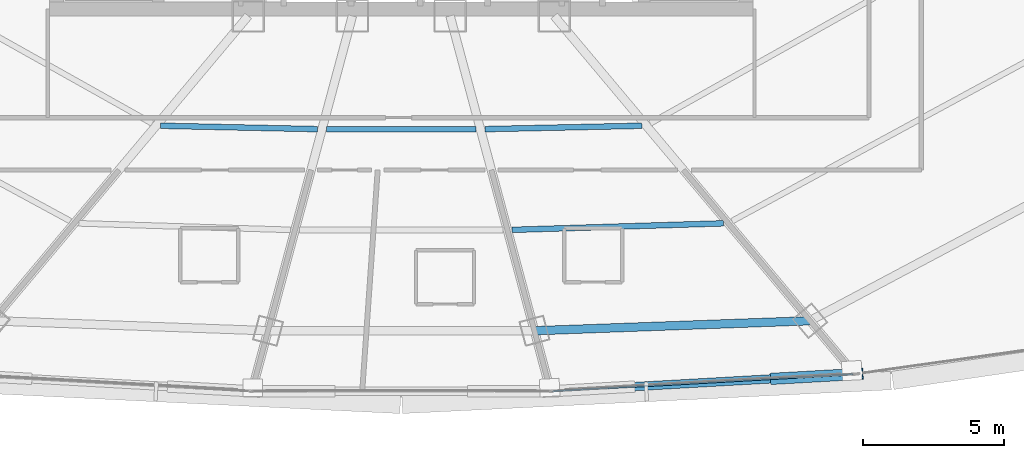
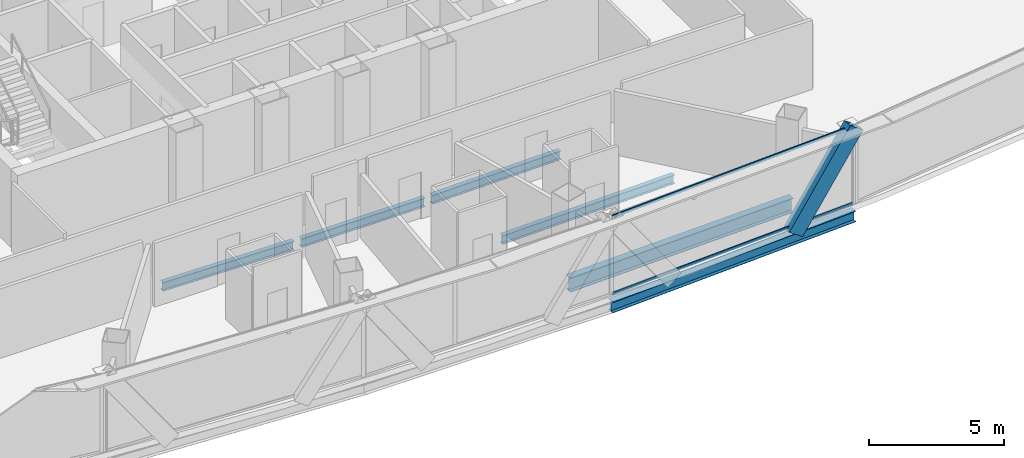
# One storey, part 13 of 40: 6 beams, 3 members, 1 element without a shape of its own.
"""IFC4 building model written with IfcOpenShell, lengths in metres."""

import ifcopenshell
import ifcopenshell.guid

model = None  # the IFC model being written
_history = None  # IfcOwnerHistory: only IFC2X3 demands one
_inside = {}  # id of a spatial element -> (the spatial element, [elements in it])
_under = {}  # id of a project, library or spatial element -> (it, [spatial elements below it])
_declared = {}  # id of a project -> (the project, [libraries it declares])
_typed = {}  # id of a type object -> (the type object, [elements of that type])
_made_of = {}  # id of a material, layer set ... -> (it, [elements and type objects made of it])


def new_model(schema):
    """Start an empty IFC model of exactly this schema.

    Asked for "IFC4X3", IfcOpenShell would pick the latest addendum, in which some entities
    have other attributes; the version numbers below select the first issue.
    IFC2X3 requires an IfcOwnerHistory on every rooted entity: one is made here for all.
    """
    global model, _history
    if schema == "IFC4X3":
        model = ifcopenshell.file(schema_version=(4, 3, 0, 0))
    else:
        model = ifcopenshell.file(schema=schema)
    _inside.clear()
    _under.clear()
    _declared.clear()
    _typed.clear()
    _made_of.clear()
    _history = None
    if model.schema == "IFC2X3":
        org = make("IfcOrganization", Name="unknown")
        user = make(
            "IfcPersonAndOrganization",
            ThePerson=make("IfcPerson", FamilyName="unknown"),
            TheOrganization=org,
        )
        app = make(
            "IfcApplication",
            ApplicationDeveloper=org,
            Version="unknown",
            ApplicationFullName="unknown",
            ApplicationIdentifier="unknown",
        )
        _history = make(
            "IfcOwnerHistory",
            OwningUser=user,
            OwningApplication=app,
            ChangeAction="ADDED",
            CreationDate=0,
        )
    return model


def make(cls, **values):
    """One entity of the class cls with the attributes given. An attribute that is None is left unset."""
    return model.create_entity(
        cls, **{name: value for name, value in values.items() if value is not None}
    )


def rooted(cls, **values):
    """An entity with a GlobalId (a new one), such as an element, a storey or a relation."""
    return make(cls, GlobalId=ifcopenshell.guid.new(), OwnerHistory=_history, **values)


def si_unit(unit_type, name, prefix=None):
    """IfcSIUnit, for example si_unit("LENGTHUNIT", "METRE", prefix="MILLI")."""
    return make("IfcSIUnit", UnitType=unit_type, Prefix=prefix, Name=name)


def assignment(units):
    """IfcUnitAssignment: the units of a project."""
    return None if units is None else make("IfcUnitAssignment", Units=units)


def point(xyz):
    """IfcCartesianPoint."""
    return None if xyz is None else make("IfcCartesianPoint", Coordinates=xyz)


def direction(xyz):
    """IfcDirection."""
    return None if xyz is None else make("IfcDirection", DirectionRatios=xyz)


def frame(location, z_axis=None, x_axis=None):
    """IfcAxis2Placement3D, a coordinate frame: its origin and axes. An axis left out is left unset."""
    return make(
        "IfcAxis2Placement3D",
        Location=point(location),
        Axis=direction(z_axis),
        RefDirection=direction(x_axis),
    )


def frame_2d(location, x_axis=None):
    """IfcAxis2Placement2D, a coordinate frame in the plane: its origin and x axis."""
    return make(
        "IfcAxis2Placement2D", Location=point(location), RefDirection=direction(x_axis)
    )


def origin():
    """The frame at (0, 0, 0) with its axes left unset."""
    return frame((0.0, 0.0, 0.0))


def origin_2d():
    """The frame at (0, 0) in the plane with its x axis left unset."""
    return frame_2d((0.0, 0.0))


def place(relative_to, where):
    """IfcLocalPlacement: puts the frame where relative to a parent placement (None: the world)."""
    return make(
        "IfcLocalPlacement", PlacementRelTo=relative_to, RelativePlacement=where
    )


def context(
    kind, dimensions, precision=None, world=None, true_north=None, identifier=None
):
    """IfcGeometricRepresentationContext, for example the 3D "Model" context."""
    return make(
        "IfcGeometricRepresentationContext",
        ContextIdentifier=identifier,
        ContextType=kind,
        CoordinateSpaceDimension=dimensions,
        Precision=precision,
        WorldCoordinateSystem=world,
        TrueNorth=true_north,
    )


def subcontext(parent, identifier, kind, view, scale=None):
    """IfcGeometricRepresentationSubContext, for example "Body" below "Model"."""
    return make(
        "IfcGeometricRepresentationSubContext",
        ContextIdentifier=identifier,
        ContextType=kind,
        ParentContext=parent,
        TargetScale=scale,
        TargetView=view,
    )


def project(units=None, contexts=None):
    """IfcProject with its units and contexts."""
    return rooted(
        "IfcProject",
        Name="project",
        RepresentationContexts=contexts,
        UnitsInContext=assignment(units),
    )


def spatial(cls, under=None, at=None, **own):
    """A site, building, storey or space (cls), placed at a placement, below another one or the project."""
    s = rooted(cls, ObjectPlacement=at, **own)
    if under is not None:
        _under.setdefault(under.id(), (under, []))[1].append(s)
    return s


def profile(cls, at=None, kind="AREA", **sizes):
    """A parametric profile (cls). Its sizes go by their IFC names, for example OverallWidth=200.0."""
    return make(cls, ProfileType=kind, Position=at, **sizes)


def hollow_rectangle(**sizes):
    """IfcRectangleHollowProfileDef."""
    return profile("IfcRectangleHollowProfileDef", **sizes)


def i_section(**sizes):
    """IfcIShapeProfileDef."""
    return profile("IfcIShapeProfileDef", **sizes)


def extrude(swept, where, along, depth):
    """IfcExtrudedAreaSolid: the profile swept, set in the frame where, extruded along a direction by depth."""
    return make(
        "IfcExtrudedAreaSolid",
        SweptArea=swept,
        Position=where,
        ExtrudedDirection=direction(along),
        Depth=depth,
    )


def shape(context_of_items, identifier, shape_type, items):
    """IfcShapeRepresentation: the items that make up one representation, for example the "Body"."""
    return make(
        "IfcShapeRepresentation",
        ContextOfItems=context_of_items,
        RepresentationIdentifier=identifier,
        RepresentationType=shape_type,
        Items=items,
    )


def source(mapping_origin, context_of_items, identifier, shape_type, items):
    """IfcRepresentationMap: a shape defined once, which mapped items show again and again."""
    return make(
        "IfcRepresentationMap",
        MappingOrigin=mapping_origin,
        MappedRepresentation=shape(context_of_items, identifier, shape_type, items),
    )


def transform(
    local_origin,
    x_axis=None,
    y_axis=None,
    z_axis=None,
    scale=None,
    scale2=None,
    scale3=None,
    uniform=True,
):
    """IfcCartesianTransformationOperator3D, or its non-uniform kind. x_axis, y_axis, z_axis: its Axis1, 2, 3."""
    if uniform:
        return make(
            "IfcCartesianTransformationOperator3D",
            Axis1=direction(x_axis),
            Axis2=direction(y_axis),
            LocalOrigin=point(local_origin),
            Scale=scale,
            Axis3=direction(z_axis),
        )
    return make(
        "IfcCartesianTransformationOperator3DnonUniform",
        Axis1=direction(x_axis),
        Axis2=direction(y_axis),
        LocalOrigin=point(local_origin),
        Scale=scale,
        Axis3=direction(z_axis),
        Scale2=scale2,
        Scale3=scale3,
    )


def mapped(mapping_source, mapping_target):
    """IfcMappedItem: shows the shape of a source again, moved by a transform."""
    return make(
        "IfcMappedItem", MappingSource=mapping_source, MappingTarget=mapping_target
    )


def material(Name=None, Category=None):
    """IfcMaterial."""
    return make("IfcMaterial", Name=Name, Category=Category)


def layer(
    of_material, thickness, ventilated=None, Name=None, Category=None, Priority=None
):
    """IfcMaterialLayer: one layer of a wall or slab, of a material (None: an air gap)."""
    return make(
        "IfcMaterialLayer",
        Material=of_material,
        LayerThickness=thickness,
        IsVentilated=ventilated,
        Name=Name,
        Category=Category,
        Priority=Priority,
    )


def layer_set(layers, Name=None):
    """IfcMaterialLayerSet."""
    return make("IfcMaterialLayerSet", MaterialLayers=layers, LayerSetName=Name)


def material_profile(
    of_material, cross_section, Name=None, Category=None, Priority=None
):
    """IfcMaterialProfile: a cross section and its material."""
    return make(
        "IfcMaterialProfile",
        Name=Name,
        Material=of_material,
        Profile=cross_section,
        Priority=Priority,
        Category=Category,
    )


def profile_set(profiles, Name=None, composite=None):
    """IfcMaterialProfileSet."""
    return make(
        "IfcMaterialProfileSet",
        Name=Name,
        MaterialProfiles=profiles,
        CompositeProfile=composite,
    )


def made_of(thing, what):
    """Note that an element or type object is made of a material, layer set ...; save() writes the relation."""
    if what is not None:
        _made_of.setdefault(what.id(), (what, []))[1].append(thing)
    return thing


def type_object(cls, material=None, **own):
    """A type object (cls), such as IfcWallType, which elements share."""
    return made_of(rooted(cls, **own), material)


def element(
    cls,
    number,
    at=None,
    inside=None,
    cuts=None,
    type_object=None,
    material=None,
    context=None,
    identifier="Body",
    shape_type=None,
    held_by="IfcProductDefinitionShape",
    body=None,
    shapes=None,
    **own,
):
    """One element of the class cls, such as IfcWall. Its Tag is "e" and its number.

    at: its placement. inside: the storey or other place that contains it. cuts: it is an
    opening in that element (IfcRelVoidsElement). A single representation is given by context,
    identifier, shape_type and body (its items); several are given by shapes. held_by: the class
    of the entity that holds the representations. save() writes the other relations.
    """
    e = rooted(cls, Tag="e%d" % number, ObjectPlacement=at, **own)
    if body is not None:
        shapes = [shape(context, identifier, shape_type, body)]
    if shapes is not None:
        e.Representation = make(held_by, Representations=shapes)
    if inside is not None:
        _inside.setdefault(inside.id(), (inside, []))[1].append(e)
    if cuts is not None:
        rooted(
            "IfcRelVoidsElement", RelatingBuildingElement=cuts, RelatedOpeningElement=e
        )
    if type_object is not None:
        _typed.setdefault(type_object.id(), (type_object, []))[1].append(e)
    return made_of(e, material)


def aggregate(whole, parts):
    """IfcRelAggregates: a whole, such as a stair, and the parts it consists of."""
    return rooted("IfcRelAggregates", RelatingObject=whole, RelatedObjects=parts)


def save(model, path):
    """Write the relations noted so far, then the file.

    IfcRelAggregates (storeys below a building ...), IfcRelContainedInSpatialStructure (elements
    in a storey), IfcRelDefinesByType, IfcRelAssociatesMaterial and IfcRelDeclares: one each for
    every whole, place, type object, material and project.
    """
    for whole, parts in _under.values():
        aggregate(whole, parts)
    for where, things in _inside.values():
        rooted(
            "IfcRelContainedInSpatialStructure",
            RelatedElements=things,
            RelatingStructure=where,
        )
    for kind, things in _typed.values():
        rooted("IfcRelDefinesByType", RelatedObjects=things, RelatingType=kind)
    for what, things in _made_of.values():
        rooted("IfcRelAssociatesMaterial", RelatedObjects=things, RelatingMaterial=what)
    for by, libraries in _declared.values():
        rooted("IfcRelDeclares", RelatingContext=by, RelatedDefinitions=libraries)
    model.write(path)


model = new_model("IFC4")

# Units and contexts
model_context = context("Model", 3, precision=1e-05, world=origin(), true_north=direction((0.0, 1.0)))
body_context = subcontext(model_context, "Body", "Model", "MODEL_VIEW")
ifc_project = project(units=[si_unit("LENGTHUNIT", "METRE"), si_unit("AREAUNIT", "SQUARE_METRE"), si_unit("VOLUMEUNIT", "CUBIC_METRE"), si_unit("PLANEANGLEUNIT", "RADIAN"), si_unit("MASSUNIT", "GRAM", prefix="KILO"), si_unit("THERMODYNAMICTEMPERATUREUNIT", "KELVIN"), si_unit("POWERUNIT", "WATT")], contexts=[model_context])

# Site, building, storey
site_placement = place(None, origin())
site = spatial("IfcSite", under=ifc_project, at=site_placement, CompositionType="ELEMENT")
building_placement = place(site_placement, origin())
building = spatial("IfcBuilding", under=site, at=building_placement, Name="Yunzhuo Pagoda Commons", CompositionType="ELEMENT")
storey_placement = place(building_placement, frame((0.0, 0.0, 188.56005859375)))
storey = spatial("IfcBuildingStorey", under=building, at=storey_placement, Name="L47", CompositionType="ELEMENT", Elevation=188.56005859375)

# Beams
ifc_material_1 = material(Name="Structural steel Q355B", Category="steel")
ifc_material_profile_1 = material_profile(ifc_material_1, i_section(OverallWidth=0.300048828125, OverallDepth=0.488037109375, WebThickness=0.010986328125, FlangeThickness=0.01806640625, at=origin_2d()), Name="Structural steel Q355B")
ifc_profile_set_1 = profile_set([ifc_material_profile_1], Name="Structural steel Q355B")
beam_type_1 = type_object("IfcBeamType", Name="B-SP1 Beam HM 488x300x11x18", PredefinedType="BEAM", material=ifc_profile_set_1)
shared_shape_1 = source(origin(), body_context, "Body", "SweptSolid", [
    extrude(i_section(OverallWidth=0.300048828125, OverallDepth=0.488037109375, WebThickness=0.010986328125, FlangeThickness=0.01806640625, at=origin_2d()), origin(), (0.0, 0.0, 1.0), 10.77783203125),
])
beam_1_placement = place(storey_placement, frame((53.28662109375, 13.970458984375, -0.504150390625), z_axis=(0.998422062391, 0.056155011631, 0.0), x_axis=(-0.056155011631, 0.998422062391, 0.0)))
element("IfcBeam", 1, at=beam_1_placement, inside=storey, type_object=beam_type_1, Name="L47 facade edge spandrel beam F1.3", PredefinedType="BEAM", context=body_context, shape_type="MappedRepresentation", body=[
    mapped(shared_shape_1, transform((0.0, 0.0, 0.0), scale=1.0)),
])
ifc_material_profile_2 = material_profile(ifc_material_1, i_section(OverallWidth=0.300048828125, OverallDepth=0.64990234375, WebThickness=0.012939453125, FlangeThickness=0.02197265625, at=origin_2d()), Name="Structural steel Q355B")
ifc_profile_set_2 = profile_set([ifc_material_profile_2], Name="Structural steel Q355B")
beam_type_2 = type_object("IfcBeamType", Name="B-RG2 Beam HN 650x300x13x22", PredefinedType="BEAM", material=ifc_profile_set_2)
shared_shape_2 = source(origin(), body_context, "Body", "SweptSolid", [
    extrude(i_section(OverallWidth=0.300048828125, OverallDepth=0.64990234375, WebThickness=0.012939453125, FlangeThickness=0.02197265625, at=origin_2d()), origin(), (0.0, 0.0, 1.0), 9.754638671875),
])
beam_2_placement = place(storey_placement, frame((52.712890625, 16.1123046875, -0.5849609375), z_axis=(0.999343095614, 0.036240547032, 0.0), x_axis=(-0.036240547032, 0.999343095614, 0.0)))
element("IfcBeam", 2, at=beam_2_placement, inside=storey, type_object=beam_type_2, Name="L47 column-ring beam 3", PredefinedType="BEAM", context=body_context, shape_type="MappedRepresentation", body=[
    mapped(shared_shape_2, transform((0.0, 0.0, 0.0), scale=1.0)),
])
ifc_material_profile_3 = material_profile(ifc_material_1, i_section(OverallWidth=0.199951171875, OverallDepth=0.39990234375, WebThickness=0.008056640625, FlangeThickness=0.012939453125, at=origin_2d()), Name="Structural steel Q355B")
ifc_profile_set_3 = profile_set([ifc_material_profile_3], Name="Structural steel Q355B")
beam_type_3 = type_object("IfcBeamType", Name="B-JS1 Joist HN 400x200x8x13", PredefinedType="JOIST", material=ifc_profile_set_3)
shared_shape_3 = source(origin(), body_context, "Body", "SweptSolid", [
    extrude(i_section(OverallWidth=0.199951171875, OverallDepth=0.39990234375, WebThickness=0.008056640625, FlangeThickness=0.012939453125, at=origin_2d()), origin(), (0.0, 0.0, 1.0), 5.550537109375),
])
for number, where, z_axis, x_axis, name in (
    (3, (39.489013671875, 23.3642578125, -0.4599609375), (0.99976582056, -0.021640333643, 0.0), (0.021640333643, 0.99976582056, 0.0), "L47 composite ring joist 1.1"),
    (4, (50.961669921875, 23.244140625, -0.4599609375), (0.99976582056, 0.021640333643, 0.0), (-0.021640333643, 0.99976582056, 0.0), "L47 composite ring joist 1.3"),
):
    element("IfcBeam", number, at=place(storey_placement, frame(where, z_axis=z_axis, x_axis=x_axis)), inside=storey, type_object=beam_type_3, Name=name, PredefinedType="JOIST", context=body_context, shape_type="MappedRepresentation", body=[
        mapped(shared_shape_3, transform((0.0, 0.0, 0.0), scale=1.0)),
    ])
shared_shape_4 = source(origin(), body_context, "Body", "SweptSolid", [
    extrude(i_section(OverallWidth=0.199951171875, OverallDepth=0.39990234375, WebThickness=0.008056640625, FlangeThickness=0.012939453125, at=origin_2d()), origin(), (0.0, 0.0, 1.0), 7.49365234375),
])
beam_3_placement = place(storey_placement, frame((51.91650390625, 19.68115234375, -0.4599609375), z_axis=(0.99952593018, 0.030788226605, 0.0), x_axis=(-0.030788226605, 0.99952593018, 0.0)))
element("IfcBeam", 5, at=beam_3_placement, inside=storey, type_object=beam_type_3, Name="L47 composite ring joist 2.3", PredefinedType="JOIST", context=body_context, shape_type="MappedRepresentation", body=[
    mapped(shared_shape_4, transform((0.0, 0.0, 0.0), scale=1.0)),
])
shared_shape_5 = source(origin(), body_context, "Body", "SweptSolid", [
    extrude(i_section(OverallWidth=0.199951171875, OverallDepth=0.39990234375, WebThickness=0.008056640625, FlangeThickness=0.012939453125, at=origin_2d()), origin(), (0.0, 0.0, 1.0), 5.287109375),
])
beam_4_placement = place(storey_placement, frame((45.3564453125, 23.24072265625, -0.4599609375), z_axis=(1.0, 0.0, 0.0), x_axis=(0.0, 1.0, 0.0)))
element("IfcBeam", 6, at=beam_4_placement, inside=storey, type_object=beam_type_3, Name="L47 composite ring joist 1.2", PredefinedType="JOIST", context=body_context, shape_type="MappedRepresentation", body=[
    mapped(shared_shape_5, transform((0.0, 0.0, 0.0), scale=1.0)),
])

# Member
ifc_material_profile_4 = material_profile(ifc_material_1, hollow_rectangle(XDim=0.39990234375, YDim=0.719970703125, WallThickness=0.02392578125, at=origin_2d()), Name="Structural steel Q355B")
ifc_profile_set_4 = profile_set([ifc_material_profile_4], Name="Structural steel Q355B")
member_type_1 = type_object("IfcMemberType", Name="M-DL2 Brace BOX 720x400x24", PredefinedType="BRACE", material=ifc_profile_set_4)
shared_shape_6 = source(origin(), body_context, "Body", "SweptSolid", [
    extrude(hollow_rectangle(XDim=0.39990234375, YDim=0.719970703125, WallThickness=0.02392578125, at=origin_2d()), origin(), (0.0, 0.0, 1.0), 4.658447265625),
])
member_1_placement = place(storey_placement, frame((61.357177734375, 14.42431640625, -0.260009765625), z_axis=(0.577495429788, 0.032493617068, 0.815747015578), x_axis=(-0.056177592441, 0.998420792105, 0.0)))
element("IfcMember", 7, at=member_1_placement, inside=storey, type_object=member_type_1, Name="L47 facade diamond brace F1.3R", PredefinedType="BRACE", context=body_context, shape_type="MappedRepresentation", body=[
    mapped(shared_shape_6, transform((0.0, 0.0, 0.0), scale=1.0)),
])

# Curtain wall, members
ifc_material_2 = material(Name="Anodized aluminium 6063-T6", Category="aluminium")
ifc_layer = layer(ifc_material_2, 0.14990234375)
ifc_layer_set = layer_set([ifc_layer], Name="Anodized aluminium 6063-T6")
curtain_wall_type = type_object("IfcCurtainWallType", Name="CW-MID Mid-Zone Ribbon Curtain Wall", PredefinedType="NOTDEFINED", material=ifc_layer_set)
curtain_wall_placement = place(storey_placement, origin())
curtain_wall = element("IfcCurtainWall", 8, at=curtain_wall_placement, inside=storey, type_object=curtain_wall_type, Name="L47 curtain wall CW-L47-F1B4", PredefinedType="NOTDEFINED")
ifc_material_profile_5 = material_profile(ifc_material_2, hollow_rectangle(XDim=0.054931640625, YDim=0.1298828125, WallThickness=0.00341796875, at=origin_2d()), Name="Anodized aluminium 6063-T6")
ifc_profile_set_5 = profile_set([ifc_material_profile_5], Name="Anodized aluminium 6063-T6")
member_type_2 = type_object("IfcMemberType", Name="CW-MID-T Transom RHS 130x55x3.5", PredefinedType="USERDEFINED", material=ifc_profile_set_5)
shared_shape_7 = source(origin(), body_context, "Body", "SweptSolid", [
    extrude(hollow_rectangle(XDim=0.054931640625, YDim=0.1298828125, WallThickness=0.00341796875, at=origin_2d()), origin(), (0.0, 0.0, 1.0), 10.65771484375),
])
member_2_placement = place(storey_placement, frame((53.3466796875, 13.973876953125, 0.02734375), z_axis=(0.998422555941, 0.056146235737, 0.0), x_axis=(-0.056146235737, 0.998422555941, 0.0)))
member_2 = element("IfcMember", 9, at=member_2_placement, type_object=member_type_2, Name="CW transom 1.1", ObjectType="TRANSOM", PredefinedType="USERDEFINED", context=body_context, shape_type="MappedRepresentation", body=[
    mapped(shared_shape_7, transform((0.0, 0.0, 0.0), scale=1.0)),
])
member_3_placement = place(storey_placement, frame((53.3466796875, 13.973876953125, 3.512451171875), z_axis=(0.998422555941, 0.056146235737, 0.0), x_axis=(-0.056146235737, 0.998422555941, 0.0)))
member_3 = element("IfcMember", 10, at=member_3_placement, type_object=member_type_2, Name="CW transom 1.2", ObjectType="TRANSOM", PredefinedType="USERDEFINED", context=body_context, shape_type="MappedRepresentation", body=[
    mapped(shared_shape_7, transform((0.0, 0.0, 0.0), scale=1.0)),
])
aggregate(curtain_wall, [member_2, member_3])

save(model, "model.ifc")
